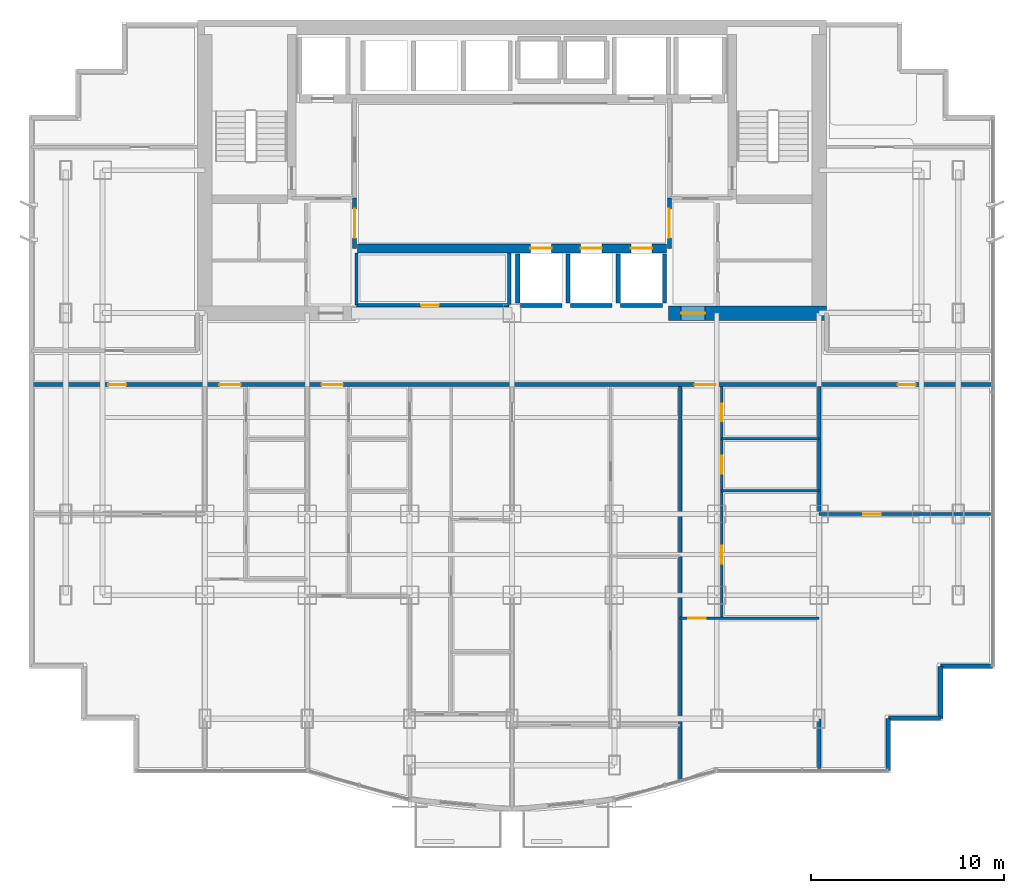
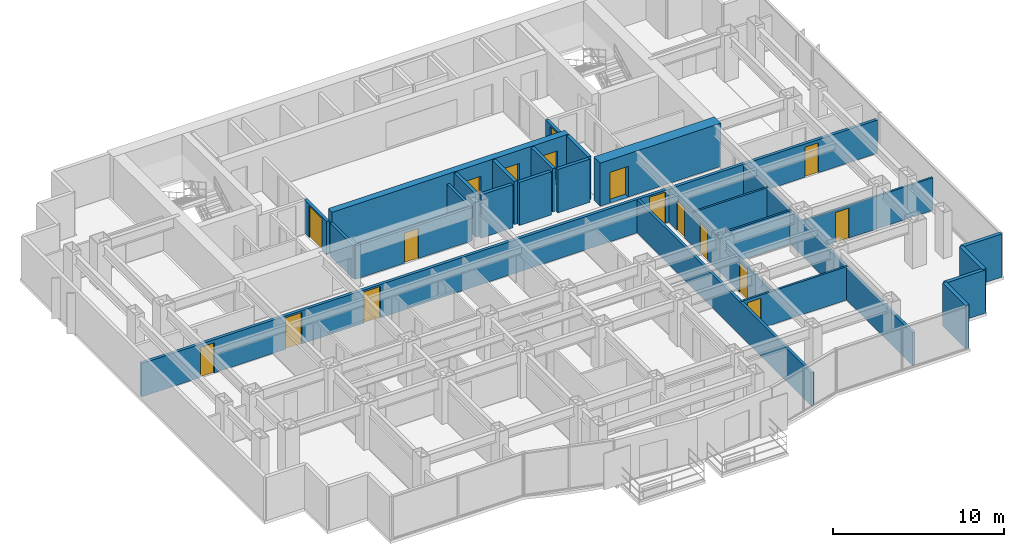
# One storey, part 8 of 12: 26 walls, 17 doors, 17 openings.
"""IFC4 building model written with IfcOpenShell, lengths in metres."""

from ifc_helpers import new_model, si_unit, direction, frame, frame_2d, origin, place, context, subcontext, project, spatial, rectangle, extrude, material, layer, layer_set, type_object, element, fill, save


model = new_model("IFC4")

# Units and contexts
model_context = context("Model", 3, precision=1e-05, world=origin(), true_north=direction((0.0, 1.0)))
body_context = subcontext(model_context, "Body", "Model", "MODEL_VIEW")
ifc_project = project(units=[si_unit("LENGTHUNIT", "METRE"), si_unit("AREAUNIT", "SQUARE_METRE"), si_unit("VOLUMEUNIT", "CUBIC_METRE"), si_unit("PLANEANGLEUNIT", "RADIAN"), si_unit("MASSUNIT", "GRAM", prefix="KILO")], contexts=[model_context])

# Site, building, storey
site_placement = place(None, origin())
site = spatial("IfcSite", under=ifc_project, at=site_placement, CompositionType="ELEMENT")
building_placement = place(site_placement, origin())
building = spatial("IfcBuilding", under=site, at=building_placement, Name="Qianlan Lanfeng Residences", CompositionType="ELEMENT")
storey_placement = place(building_placement, frame((0.0, 0.0, 121.300048828125)))
storey = spatial("IfcBuildingStorey", under=building, at=storey_placement, Name="L33", CompositionType="ELEMENT", Elevation=121.300048828125)

# Wall, openings, doors
ifc_material_1 = material(Name="Concrete C60", Category="concrete")
ifc_layer_1 = layer(ifc_material_1, 0.449951171875)
ifc_layer_set_1 = layer_set([ifc_layer_1], Name="Concrete C60")
wall_type_1 = type_object("IfcWallType", Name="CW-RC-450", PredefinedType="SHEAR", material=ifc_layer_set_1)
wall_1_placement = place(storey_placement, frame((18.5, 28.550048828125, 0.0), z_axis=(0.0, 0.0, 1.0), x_axis=(1.0, 0.0, 0.0)))
wall_1 = element("IfcWall", 1, at=wall_1_placement, inside=storey, type_object=wall_type_1, Name="L33 Core Shear Wall LBS", PredefinedType="SHEAR", context=body_context, shape_type="SweptSolid", body=[
    extrude(rectangle(XDim=16.0, YDim=0.449951171875, at=frame_2d((8.0, 0.0))), origin(), (0.0, 0.0, 1.0), 3.08984375),
])
opening_1_placement = place(wall_1_placement, frame((8.949951171875, 0.0, 0.0)))
opening_1 = element("IfcOpeningElement", 2, at=opening_1_placement, cuts=wall_1, Name="Opening L33-LD-PL-M1", PredefinedType="OPENING", context=body_context, shape_type="SweptSolid", body=[
    extrude(rectangle(XDim=1.10009765625, YDim=2.14990234375, at=frame_2d((0.550048828125, 1.074951171875))), frame((0.0, 0.23486328125, 0.0), z_axis=(0.0, -1.0, 0.0), x_axis=(1.0, 0.0, 0.0)), (0.0, 0.0, 1.0), 0.469970703125),
])
opening_2_placement = place(wall_1_placement, frame((11.550048828125, 0.0, 0.0)))
opening_2 = element("IfcOpeningElement", 3, at=opening_2_placement, cuts=wall_1, Name="Opening L33-LD-PL-M2", PredefinedType="OPENING", context=body_context, shape_type="SweptSolid", body=[
    extrude(rectangle(XDim=1.10009765625, YDim=2.14990234375, at=frame_2d((0.550048828125, 1.074951171875))), frame((0.0, 0.23486328125, 0.0), z_axis=(0.0, -1.0, 0.0), x_axis=(1.0, 0.0, 0.0)), (0.0, 0.0, 1.0), 0.469970703125),
])
opening_3_placement = place(wall_1_placement, frame((14.14990234375, 0.0, 0.0)))
opening_3 = element("IfcOpeningElement", 4, at=opening_3_placement, cuts=wall_1, Name="Opening L33-LD-PL-M3", PredefinedType="OPENING", context=body_context, shape_type="SweptSolid", body=[
    extrude(rectangle(XDim=1.10009765625, YDim=2.14990234375, at=frame_2d((0.550048828125, 1.074951171875))), frame((0.0, 0.23486328125, 0.0), z_axis=(0.0, -1.0, 0.0), x_axis=(1.0, 0.0, 0.0)), (0.0, 0.0, 1.0), 0.469970703125),
])
ifc_material_2 = material(Name="Brushed Stainless Steel Sliding Lift Door", Category="steel")
door_type_1 = type_object("IfcDoorType", Name="LD-01", OperationType="NOTDEFINED", PredefinedType="DOOR", material=ifc_material_2)
door_1_placement = place(opening_1_placement, origin())
door_1 = element("IfcDoor", 5, at=door_1_placement, inside=storey, type_object=door_type_1, Name="L33 Elevator PL-M1 Sliding Landing Door", OperationType="DOUBLE_DOOR_SLIDING", OverallHeight=2.14990234375, OverallWidth=1.10009765625, PredefinedType="DOOR", context=body_context, shape_type="SweptSolid", body=[
    extrude(rectangle(XDim=1.10009765625, YDim=2.14990234375, at=frame_2d((0.550048828125, 1.074951171875))), frame((0.0, 0.02490234375, 0.0), z_axis=(0.0, -1.0, 0.0), x_axis=(1.0, 0.0, 0.0)), (0.0, 0.0, 1.0), 0.050048828125),
])
fill(opening_1, door_1)
door_2_placement = place(opening_2_placement, origin())
door_2 = element("IfcDoor", 6, at=door_2_placement, inside=storey, type_object=door_type_1, Name="L33 Elevator PL-M2 Sliding Landing Door", OperationType="DOUBLE_DOOR_SLIDING", OverallHeight=2.14990234375, OverallWidth=1.10009765625, PredefinedType="DOOR", context=body_context, shape_type="SweptSolid", body=[
    extrude(rectangle(XDim=1.10009765625, YDim=2.14990234375, at=frame_2d((0.550048828125, 1.074951171875))), frame((0.0, 0.02490234375, 0.0), z_axis=(0.0, -1.0, 0.0), x_axis=(1.0, 0.0, 0.0)), (0.0, 0.0, 1.0), 0.050048828125),
])
fill(opening_2, door_2)
door_3_placement = place(opening_3_placement, origin())
door_3 = element("IfcDoor", 7, at=door_3_placement, inside=storey, type_object=door_type_1, Name="L33 Elevator PL-M3 Sliding Landing Door", OperationType="DOUBLE_DOOR_SLIDING", OverallHeight=2.14990234375, OverallWidth=1.10009765625, PredefinedType="DOOR", context=body_context, shape_type="SweptSolid", body=[
    extrude(rectangle(XDim=1.10009765625, YDim=2.14990234375, at=frame_2d((0.550048828125, 1.074951171875))), frame((0.0, 0.02490234375, 0.0), z_axis=(0.0, -1.0, 0.0), x_axis=(1.0, 0.0, 0.0)), (0.0, 0.0, 1.0), 0.050048828125),
])
fill(opening_3, door_3)

# Wall, opening, door
ifc_layer_2 = layer(ifc_material_1, 0.75)
ifc_layer_set_2 = layer_set([ifc_layer_2], Name="Concrete C60")
wall_type_2 = type_object("IfcWallType", Name="CW-RC-750", PredefinedType="SHEAR", material=ifc_layer_set_2)
wall_2_placement = place(storey_placement, frame((34.60009765625, 25.199951171875, 0.0), z_axis=(0.0, 0.0, 1.0), x_axis=(1.0, 0.0, 0.0)))
wall_2 = element("IfcWall", 8, at=wall_2_placement, inside=storey, type_object=wall_type_2, Name="L33 Core Shear Wall SE", PredefinedType="SHEAR", context=body_context, shape_type="SweptSolid", body=[
    extrude(rectangle(XDim=8.1748046875, YDim=0.75, at=frame_2d((4.08740234375, 0.0))), origin(), (0.0, 0.0, 1.0), 3.08984375),
])
opening_4_placement = place(wall_2_placement, frame((0.64990234375, 0.0, 0.0)))
opening_4 = element("IfcOpeningElement", 9, at=opening_4_placement, cuts=wall_2, Name="Opening L33-D02", PredefinedType="OPENING", context=body_context, shape_type="SweptSolid", body=[
    extrude(rectangle(XDim=1.25, YDim=2.199951171875, at=frame_2d((0.625, 1.10009765625))), frame((0.0, 0.385009765625, 0.0), z_axis=(0.0, -1.0, 0.0), x_axis=(1.0, 0.0, 0.0)), (0.0, 0.0, 1.0), 0.77001953125),
])
ifc_material_3 = material(Name="Painted Galvanised Steel Fire Door", Category="steel")
door_type_2 = type_object("IfcDoorType", Name="DT-FFL", OperationType="NOTDEFINED", PredefinedType="DOOR", material=ifc_material_3)
door_4_placement = place(opening_4_placement, frame((1.25, 0.0, 0.0), z_axis=(0.0, 0.0, 1.0), x_axis=(-1.0, 0.0, 0.0)))
door_4 = element("IfcDoor", 10, at=door_4_placement, inside=storey, type_object=door_type_2, Name="L33 East Core Lobby Smoke Door L33-D02 (DT-FFL)", OperationType="SINGLE_SWING_LEFT", OverallHeight=2.199951171875, OverallWidth=1.25, PredefinedType="DOOR", context=body_context, shape_type="SweptSolid", body=[
    extrude(rectangle(XDim=1.25, YDim=2.199951171875, at=frame_2d((0.625, 1.10009765625))), frame((0.0, 0.02490234375, 0.0), z_axis=(0.0, -1.0, 0.0), x_axis=(1.0, 0.0, 0.0)), (0.0, 0.0, 1.0), 0.050048828125),
])
fill(opening_4, door_4)

# Walls
ifc_material_4 = material(Name="Concrete C42", Category="concrete")
ifc_layer_3 = layer(ifc_material_4, 0.239990234375)
ifc_layer_set_3 = layer_set([ifc_layer_3], Name="Concrete C42")
wall_type_3 = type_object("IfcWallType", Name="EW-240", PredefinedType="SOLIDWALL", material=ifc_layer_set_3)
for number, where, z_axis, x_axis, name in (
    (11, (45.97998046875, 1.52001953125, 0.0), (0.0, 0.0, 1.0), (0.0, 1.0, 0.0), "L33 Exterior Facade Spandrel Wall 7"),
    (12, (45.97998046875, 4.219970703125, 0.0), (0.0, 0.0, 1.0), (1.0, 0.0, 0.0), "L33 Exterior Facade Spandrel Wall 8"),
    (13, (48.679931640625, 4.219970703125, 0.0), (0.0, 0.0, 1.0), (0.0, 1.0, 0.0), "L33 Exterior Facade Spandrel Wall 9"),
    (14, (48.679931640625, 6.919921875, 0.0), (0.0, 0.0, 1.0), (1.0, 0.0, 0.0), "L33 Exterior Facade Spandrel Wall 10"),
):
    element("IfcWall", number, at=place(storey_placement, frame(where, z_axis=z_axis, x_axis=x_axis)), inside=storey, type_object=wall_type_3, Name=name, PredefinedType="SOLIDWALL", context=body_context, shape_type="SweptSolid", body=[
        extrude(rectangle(XDim=2.699951171875, YDim=0.239990234375, at=frame_2d((1.35009765625, 0.0))), origin(), (0.0, 0.0, 1.0), 3.08984375),
    ])

# Wall, opening, door
ifc_material_5 = material(Name="Moisture-Resistant Gypsum Partition 135 mm")
ifc_layer_4 = layer(ifc_material_5, 0.135009765625)
ifc_layer_set_4 = layer_set([ifc_layer_4], Name="Moisture-Resistant Gypsum Partition 135 mm")
wall_type_4 = type_object("IfcWallType", Name="PW-135", PredefinedType="PARTITIONING", material=ifc_layer_set_4)
wall_3_placement = place(storey_placement, frame((35.199951171875, 9.39794921875, 0.0), z_axis=(0.0, 0.0, 1.0), x_axis=(1.0, 0.0, 0.0)))
wall_3 = element("IfcWall", 15, at=wall_3_placement, inside=storey, type_object=wall_type_4, Name="L33 U03 Living Divider", PredefinedType="PARTITIONING", context=body_context, shape_type="SweptSolid", body=[
    extrude(rectangle(XDim=7.199951171875, YDim=0.135009765625, at=frame_2d((3.60009765625, 0.0))), origin(), (0.0, 0.0, 1.0), 2.3798828125),
])
opening_5_placement = place(wall_3_placement, frame((0.4150390625, 0.0, 0.0)))
opening_5 = element("IfcOpeningElement", 16, at=opening_5_placement, cuts=wall_3, Name="Opening L33-D37", PredefinedType="OPENING", context=body_context, shape_type="SweptSolid", body=[
    extrude(rectangle(XDim=0.919921875, YDim=2.14990234375, at=frame_2d((0.4599609375, 1.074951171875))), frame((0.0, 0.07763671875, 0.0), z_axis=(0.0, -1.0, 0.0), x_axis=(1.0, 0.0, 0.0)), (0.0, 0.0, 1.0), 0.155029296875),
])
ifc_material_6 = material(Name="Glazed Timber Kitchen/Study Door", Category="wood")
door_type_3 = type_object("IfcDoorType", Name="DT-INT", OperationType="NOTDEFINED", PredefinedType="DOOR", material=ifc_material_6)
door_5_placement = place(opening_5_placement, frame((0.919921875, 0.0, 0.0), z_axis=(0.0, 0.0, 1.0), x_axis=(-1.0, 0.0, 0.0)))
door_5 = element("IfcDoor", 17, at=door_5_placement, inside=storey, type_object=door_type_3, Name="L33 U03 Living Passage Door L33-D37 (DT-INT)", OperationType="SINGLE_SWING_RIGHT", OverallHeight=2.14990234375, OverallWidth=0.919921875, PredefinedType="DOOR", context=body_context, shape_type="SweptSolid", body=[
    extrude(rectangle(XDim=0.919921875, YDim=2.14990234375, at=frame_2d((0.4599609375, 1.074951171875))), frame((0.0, 0.02490234375, 0.0), z_axis=(0.0, -1.0, 0.0), x_axis=(1.0, 0.0, 0.0)), (0.0, 0.0, 1.0), 0.050048828125),
])
fill(opening_5, door_5)

# Wall, openings, doors
wall_4_placement = place(storey_placement, frame((37.35009765625, 9.39794921875, 0.0), z_axis=(0.0, 0.0, 1.0), x_axis=(0.0, 1.0, 0.0)))
wall_4 = element("IfcWall", 18, at=wall_4_placement, inside=storey, type_object=wall_type_4, Name="L33 U03 Entry Hall Spine", PredefinedType="PARTITIONING", context=body_context, shape_type="SweptSolid", body=[
    extrude(rectangle(XDim=12.001953125, YDim=0.135009765625, at=frame_2d((6.0009765625, 0.0))), origin(), (0.0, 0.0, 1.0), 2.3349609375),
])
opening_6_placement = place(wall_4_placement, frame((2.841064453125, 0.0, 0.0)))
opening_6 = element("IfcOpeningElement", 19, at=opening_6_placement, cuts=wall_4, Name="Opening L33-D38", PredefinedType="OPENING", context=body_context, shape_type="SweptSolid", body=[
    extrude(rectangle(XDim=0.919921875, YDim=2.14990234375, at=frame_2d((0.4599609375, 1.074951171875))), frame((0.0, 0.07763671875, 0.0), z_axis=(0.0, -1.0, 0.0), x_axis=(1.0, 0.0, 0.0)), (0.0, 0.0, 1.0), 0.155029296875),
])
opening_7_placement = place(wall_4_placement, frame((7.491943359375, 0.0, 0.0)))
opening_7 = element("IfcOpeningElement", 20, at=opening_7_placement, cuts=wall_4, Name="Opening L33-D39", PredefinedType="OPENING", context=body_context, shape_type="SweptSolid", body=[
    extrude(rectangle(XDim=0.919921875, YDim=2.14990234375, at=frame_2d((0.4599609375, 1.074951171875))), frame((0.0, 0.07763671875, 0.0), z_axis=(0.0, -1.0, 0.0), x_axis=(1.0, 0.0, 0.0)), (0.0, 0.0, 1.0), 0.155029296875),
])
opening_8_placement = place(wall_4_placement, frame((10.201904296875, 0.0, 0.0)))
opening_8 = element("IfcOpeningElement", 21, at=opening_8_placement, cuts=wall_4, Name="Opening L33-D40", PredefinedType="OPENING", context=body_context, shape_type="SweptSolid", body=[
    extrude(rectangle(XDim=0.89990234375, YDim=2.14990234375, at=frame_2d((0.449951171875, 1.074951171875))), frame((0.0, 0.07763671875, 0.0), z_axis=(0.0, -1.0, 0.0), x_axis=(1.0, 0.0, 0.0)), (0.0, 0.0, 1.0), 0.155029296875),
])
door_6_placement = place(opening_6_placement, origin())
door_6 = element("IfcDoor", 22, at=door_6_placement, inside=storey, type_object=door_type_3, Name="L33 U03 Study Door L33-D38 (DT-INT)", OperationType="SINGLE_SWING_LEFT", OverallHeight=2.14990234375, OverallWidth=0.919921875, PredefinedType="DOOR", context=body_context, shape_type="SweptSolid", body=[
    extrude(rectangle(XDim=0.919921875, YDim=2.14990234375, at=frame_2d((0.4599609375, 1.074951171875))), frame((0.0, 0.02490234375, 0.0), z_axis=(0.0, -1.0, 0.0), x_axis=(1.0, 0.0, 0.0)), (0.0, 0.0, 1.0), 0.050048828125),
])
fill(opening_6, door_6)
door_7_placement = place(opening_7_placement, origin())
door_7 = element("IfcDoor", 23, at=door_7_placement, inside=storey, type_object=door_type_3, Name="L33 U03 Kitchen Door L33-D39 (DT-INT)", OperationType="SINGLE_SWING_RIGHT", OverallHeight=2.14990234375, OverallWidth=0.919921875, PredefinedType="DOOR", context=body_context, shape_type="SweptSolid", body=[
    extrude(rectangle(XDim=0.919921875, YDim=2.14990234375, at=frame_2d((0.4599609375, 1.074951171875))), frame((0.0, 0.02490234375, 0.0), z_axis=(0.0, -1.0, 0.0), x_axis=(1.0, 0.0, 0.0)), (0.0, 0.0, 1.0), 0.050048828125),
])
fill(opening_7, door_7)
ifc_material_7 = material(Name="Moisture-Resistant Timber Leaf", Category="wood")
door_type_4 = type_object("IfcDoorType", Name="DT-WC", OperationType="NOTDEFINED", PredefinedType="DOOR", material=ifc_material_7)
door_8_placement = place(opening_8_placement, origin())
door_8 = element("IfcDoor", 24, at=door_8_placement, inside=storey, type_object=door_type_4, Name="L33 U03 Bathroom Door L33-D40 (DT-WC)", OperationType="SINGLE_SWING_LEFT", OverallHeight=2.14990234375, OverallWidth=0.89990234375, PredefinedType="DOOR", context=body_context, shape_type="SweptSolid", body=[
    extrude(rectangle(XDim=0.89990234375, YDim=2.14990234375, at=frame_2d((0.449951171875, 1.074951171875))), frame((0.0, 0.02490234375, 0.0), z_axis=(0.0, -1.0, 0.0), x_axis=(1.0, 0.0, 0.0)), (0.0, 0.0, 1.0), 0.050048828125),
])
fill(opening_8, door_8)

# Walls
for number, where, z_axis, x_axis, name in (
    (25, (37.35009765625, 16.0, 0.0), (0.0, 0.0, 1.0), (1.0, 0.0, 0.0), "L33 U03 Kitchen South Wall"),
    (26, (37.35009765625, 18.699951171875, 0.0), (0.0, 0.0, 1.0), (1.0, 0.0, 0.0), "L33 U03 Bathroom South Wall"),
):
    element("IfcWall", number, at=place(storey_placement, frame(where, z_axis=z_axis, x_axis=x_axis)), inside=storey, type_object=wall_type_4, Name=name, PredefinedType="PARTITIONING", context=body_context, shape_type="SweptSolid", body=[
        extrude(rectangle(XDim=5.0498046875, YDim=0.135009765625, at=frame_2d((2.52490234375, 0.0))), origin(), (0.0, 0.0, 1.0), 2.3798828125),
    ])

# Wall, opening, door
wall_5_placement = place(storey_placement, frame((42.39990234375, 14.800048828125, 0.0), z_axis=(0.0, 0.0, 1.0), x_axis=(1.0, 0.0, 0.0)))
wall_5 = element("IfcWall", 27, at=wall_5_placement, inside=storey, type_object=wall_type_4, Name="L33 SEP Mid Partition", PredefinedType="PARTITIONING", context=body_context, shape_type="SweptSolid", body=[
    extrude(rectangle(XDim=8.880126953125, YDim=0.135009765625, at=frame_2d((4.43994140625, 0.0))), origin(), (0.0, 0.0, 1.0), 2.3349609375),
])
opening_9_placement = place(wall_5_placement, frame((2.280029296875, 0.0, 0.0)))
opening_9 = element("IfcOpeningElement", 28, at=opening_9_placement, cuts=wall_5, Name="Opening L33-D43", PredefinedType="OPENING", context=body_context, shape_type="SweptSolid", body=[
    extrude(rectangle(XDim=0.919921875, YDim=2.14990234375, at=frame_2d((0.4599609375, 1.074951171875))), frame((0.0, 0.07763671875, 0.0), z_axis=(0.0, -1.0, 0.0), x_axis=(1.0, 0.0, 0.0)), (0.0, 0.0, 1.0), 0.155029296875),
])
door_9_placement = place(opening_9_placement, origin())
door_9 = element("IfcDoor", 29, at=door_9_placement, inside=storey, type_object=door_type_3, Name="L33 SEP Inner Door L33-D43 (DT-INT)", OperationType="SINGLE_SWING_RIGHT", OverallHeight=2.14990234375, OverallWidth=0.919921875, PredefinedType="DOOR", context=body_context, shape_type="SweptSolid", body=[
    extrude(rectangle(XDim=0.919921875, YDim=2.14990234375, at=frame_2d((0.4599609375, 1.074951171875))), frame((0.0, 0.02490234375, 0.0), z_axis=(0.0, -1.0, 0.0), x_axis=(1.0, 0.0, 0.0)), (0.0, 0.0, 1.0), 0.050048828125),
])
fill(opening_9, door_9)

# Walls
ifc_material_8 = material(Name="Double-Layer Acoustic Gypsum Stud Wall 180 mm")
ifc_layer_5 = layer(ifc_material_8, 0.179931640625)
ifc_layer_set_5 = layer_set([ifc_layer_5], Name="Double-Layer Acoustic Gypsum Stud Wall 180 mm")
wall_type_5 = type_object("IfcWallType", Name="PW-180", PredefinedType="PARTITIONING", material=ifc_layer_set_5)
for number, where, z_axis, x_axis, name in (
    (30, (18.449951171875, 25.6201171875, 0.0), (0.0, 0.0, 1.0), (0.0, 1.0, 0.0), "L33 Reclaimed Low-Bank Room West Wall"),
    (31, (26.35009765625, 25.6201171875, 0.0), (0.0, 0.0, 1.0), (0.0, 1.0, 0.0), "L33 Reclaimed Low-Bank Room East Wall"),
):
    element("IfcWall", number, at=place(storey_placement, frame(where, z_axis=z_axis, x_axis=x_axis)), inside=storey, type_object=wall_type_5, Name=name, PredefinedType="PARTITIONING", context=body_context, shape_type="SweptSolid", body=[
        extrude(rectangle(XDim=2.704833984375, YDim=0.179931640625, at=frame_2d((1.3525390625, 0.0))), origin(), (0.0, 0.0, 1.0), 2.3798828125),
    ])

# Wall, opening, door
wall_6_placement = place(storey_placement, frame((18.449951171875, 25.6201171875, 0.0), z_axis=(0.0, 0.0, 1.0), x_axis=(1.0, 0.0, 0.0)))
wall_6 = element("IfcWall", 32, at=wall_6_placement, inside=storey, type_object=wall_type_5, Name="L33 Reclaimed Low-Bank Room South Wall", PredefinedType="PARTITIONING", context=body_context, shape_type="SweptSolid", body=[
    extrude(rectangle(XDim=7.900146484375, YDim=0.179931640625, at=frame_2d((3.9501953125, 0.0))), origin(), (0.0, 0.0, 1.0), 2.3798828125),
])
opening_10_placement = place(wall_6_placement, frame((3.340087890625, 0.0, 0.0)))
opening_10 = element("IfcOpeningElement", 33, at=opening_10_placement, cuts=wall_6, Name="Opening L33-D16", PredefinedType="OPENING", context=body_context, shape_type="SweptSolid", body=[
    extrude(rectangle(XDim=0.919921875, YDim=2.14990234375, at=frame_2d((0.4599609375, 1.074951171875))), frame((0.0, 0.10009765625, 0.0), z_axis=(0.0, -1.0, 0.0), x_axis=(1.0, 0.0, 0.0)), (0.0, 0.0, 1.0), 0.199951171875),
])
door_10_placement = place(opening_10_placement, origin())
door_10 = element("IfcDoor", 34, at=door_10_placement, inside=storey, type_object=door_type_3, Name="L33 Reclaimed Core Salon Door L33-D16 (DT-INT)", OperationType="SINGLE_SWING_LEFT", OverallHeight=2.14990234375, OverallWidth=0.919921875, PredefinedType="DOOR", context=body_context, shape_type="SweptSolid", body=[
    extrude(rectangle(XDim=0.919921875, YDim=2.14990234375, at=frame_2d((0.4599609375, 1.074951171875))), frame((0.0, 0.02490234375, 0.0), z_axis=(0.0, -1.0, 0.0), x_axis=(1.0, 0.0, 0.0)), (0.0, 0.0, 1.0), 0.050048828125),
])
fill(opening_10, door_10)

# Walls
wall_7_placement = place(storey_placement, frame((42.39990234375, 1.6201171875, 0.0), z_axis=(0.0, 0.0, 1.0), x_axis=(0.0, 1.0, 0.0)))
element("IfcWall", 35, at=wall_7_placement, inside=storey, type_object=wall_type_5, Name="L33 Wing Boundary Party Wall E0", PredefinedType="PARTITIONING", context=body_context, shape_type="SweptSolid", body=[
    extrude(rectangle(XDim=19.77978515625, YDim=0.179931640625, at=frame_2d((9.889892578125, 0.0))), origin(), (0.0, 0.0, 1.0), 2.3349609375),
])
wall_8_placement = place(storey_placement, frame((35.199951171875, 0.989990234375, 0.0), z_axis=(0.0, 0.0, 1.0), x_axis=(0.0, 1.0, 0.0)))
element("IfcWall", 36, at=wall_8_placement, inside=storey, type_object=wall_type_5, Name="L33 Inter-Tenancy Party Wall 3", PredefinedType="PARTITIONING", context=body_context, shape_type="SweptSolid", body=[
    extrude(rectangle(XDim=20.409912109375, YDim=0.179931640625, at=frame_2d((10.205078125, 0.0))), origin(), (0.0, 0.0, 1.0), 2.3798828125),
])

# Wall, opening, door
ifc_material_9 = material(Name="Autoclaved Aerated Concrete Blockwork 200 mm", Category="masonry")
ifc_layer_6 = layer(ifc_material_9, 0.199951171875)
ifc_layer_set_6 = layer_set([ifc_layer_6], Name="Autoclaved Aerated Concrete Blockwork 200 mm")
wall_type_6 = type_object("IfcWallType", Name="PW-200", PredefinedType="PARTITIONING", material=ifc_layer_set_6)
wall_9_placement = place(storey_placement, frame((18.35009765625, 28.550048828125, 0.0), z_axis=(0.0, 0.0, 1.0), x_axis=(0.0, 1.0, 0.0)))
wall_9 = element("IfcWall", 37, at=wall_9_placement, inside=storey, type_object=wall_type_6, Name="L33 Lift Lobby West Connector Wall", PredefinedType="PARTITIONING", context=body_context, shape_type="SweptSolid", body=[
    extrude(rectangle(XDim=2.599853515625, YDim=0.199951171875, at=frame_2d((1.2998046875, 0.0))), origin(), (0.0, 0.0, 1.0), 2.3798828125),
])
opening_11_placement = place(wall_9_placement, frame((0.550048828125, 0.0, 0.0)))
opening_11 = element("IfcOpeningElement", 38, at=opening_11_placement, cuts=wall_9, Name="Opening L33-D14", PredefinedType="OPENING", context=body_context, shape_type="SweptSolid", body=[
    extrude(rectangle(XDim=1.5, YDim=2.25, at=frame_2d((0.75, 1.125))), frame((0.0, 0.10986328125, 0.0), z_axis=(0.0, -1.0, 0.0), x_axis=(1.0, 0.0, 0.0)), (0.0, 0.0, 1.0), 0.219970703125),
])
ifc_material_10 = material(Name="Timber Veneer Acoustic Fire Door", Category="wood")
door_type_5 = type_object("IfcDoorType", Name="DT-COR1", OperationType="NOTDEFINED", PredefinedType="DOOR", material=ifc_material_10)
door_11_placement = place(opening_11_placement, origin())
door_11 = element("IfcDoor", 39, at=door_11_placement, inside=storey, type_object=door_type_5, Name="L33 Lift Lobby West Portal Door L33-D14 (DT-COR1)", OperationType="DOUBLE_DOOR_SINGLE_SWING", OverallHeight=2.25, OverallWidth=1.5, PredefinedType="DOOR", context=body_context, shape_type="SweptSolid", body=[
    extrude(rectangle(XDim=1.5, YDim=2.25, at=frame_2d((0.75, 1.125))), frame((0.0, 0.02490234375, 0.0), z_axis=(0.0, -1.0, 0.0), x_axis=(1.0, 0.0, 0.0)), (0.0, 0.0, 1.0), 0.050048828125),
])
fill(opening_11, door_11)

wall_10_placement = place(storey_placement, frame((34.64990234375, 28.550048828125, 0.0), z_axis=(0.0, 0.0, 1.0), x_axis=(0.0, 1.0, 0.0)))
wall_10 = element("IfcWall", 40, at=wall_10_placement, inside=storey, type_object=wall_type_6, Name="L33 Lift Lobby East Connector Wall", PredefinedType="PARTITIONING", context=body_context, shape_type="SweptSolid", body=[
    extrude(rectangle(XDim=2.599853515625, YDim=0.199951171875, at=frame_2d((1.2998046875, 0.0))), origin(), (0.0, 0.0, 1.0), 2.3798828125),
])
opening_12_placement = place(wall_10_placement, frame((0.550048828125, 0.0, 0.0)))
opening_12 = element("IfcOpeningElement", 41, at=opening_12_placement, cuts=wall_10, Name="Opening L33-D15", PredefinedType="OPENING", context=body_context, shape_type="SweptSolid", body=[
    extrude(rectangle(XDim=1.5, YDim=2.25, at=frame_2d((0.75, 1.125))), frame((0.0, 0.10986328125, 0.0), z_axis=(0.0, -1.0, 0.0), x_axis=(1.0, 0.0, 0.0)), (0.0, 0.0, 1.0), 0.219970703125),
])
door_12_placement = place(opening_12_placement, frame((1.5, 0.0, 0.0), z_axis=(0.0, 0.0, 1.0), x_axis=(-1.0, 0.0, 0.0)))
door_12 = element("IfcDoor", 42, at=door_12_placement, inside=storey, type_object=door_type_5, Name="L33 Lift Lobby East Portal Door L33-D15 (DT-COR1)", OperationType="DOUBLE_DOOR_SINGLE_SWING", OverallHeight=2.25, OverallWidth=1.5, PredefinedType="DOOR", context=body_context, shape_type="SweptSolid", body=[
    extrude(rectangle(XDim=1.5, YDim=2.25, at=frame_2d((0.75, 1.125))), frame((0.0, 0.02490234375, 0.0), z_axis=(0.0, -1.0, 0.0), x_axis=(1.0, 0.0, 0.0)), (0.0, 0.0, 1.0), 0.050048828125),
])
fill(opening_12, door_12)

# Wall, openings, doors
wall_11_placement = place(storey_placement, frame((1.6201171875, 21.5, 0.0), z_axis=(0.0, 0.0, 1.0), x_axis=(1.0, 0.0, 0.0)))
wall_11 = element("IfcWall", 43, at=wall_11_placement, inside=storey, type_object=wall_type_6, Name="L33 Residential Corridor South Fire Wall", PredefinedType="PARTITIONING", context=body_context, shape_type="SweptSolid", body=[
    extrude(rectangle(XDim=49.759765625, YDim=0.199951171875, at=frame_2d((24.8798828125, 0.0))), origin(), (0.0, 0.0, 1.0), 2.3798828125),
])
opening_13_placement = place(wall_11_placement, frame((9.72998046875, 0.0, 0.0)))
opening_13 = element("IfcOpeningElement", 44, at=opening_13_placement, cuts=wall_11, Name="Opening L33-D17", PredefinedType="OPENING", context=body_context, shape_type="SweptSolid", body=[
    extrude(rectangle(XDim=1.10009765625, YDim=2.25, at=frame_2d((0.550048828125, 1.125))), frame((0.0, 0.10986328125, 0.0), z_axis=(0.0, -1.0, 0.0), x_axis=(1.0, 0.0, 0.0)), (0.0, 0.0, 1.0), 0.219970703125),
])
opening_14_placement = place(wall_11_placement, frame((15.030029296875, 0.0, 0.0)))
opening_14 = element("IfcOpeningElement", 45, at=opening_14_placement, cuts=wall_11, Name="Opening L33-D22", PredefinedType="OPENING", context=body_context, shape_type="SweptSolid", body=[
    extrude(rectangle(XDim=1.10009765625, YDim=2.25, at=frame_2d((0.550048828125, 1.125))), frame((0.0, 0.10986328125, 0.0), z_axis=(0.0, -1.0, 0.0), x_axis=(1.0, 0.0, 0.0)), (0.0, 0.0, 1.0), 0.219970703125),
])
opening_15_placement = place(wall_11_placement, frame((34.330078125, 0.0, 0.0)))
opening_15 = element("IfcOpeningElement", 46, at=opening_15_placement, cuts=wall_11, Name="Opening L33-D36", PredefinedType="OPENING", context=body_context, shape_type="SweptSolid", body=[
    extrude(rectangle(XDim=1.10009765625, YDim=2.25, at=frame_2d((0.550048828125, 1.125))), frame((0.0, 0.10986328125, 0.0), z_axis=(0.0, -1.0, 0.0), x_axis=(1.0, 0.0, 0.0)), (0.0, 0.0, 1.0), 0.219970703125),
])
opening_16_placement = place(wall_11_placement, frame((3.985107421875, 0.0, 0.0)))
opening_16 = element("IfcOpeningElement", 47, at=opening_16_placement, cuts=wall_11, Name="Opening L33-D42", PredefinedType="OPENING", context=body_context, shape_type="SweptSolid", body=[
    extrude(rectangle(XDim=0.919921875, YDim=2.14990234375, at=frame_2d((0.4599609375, 1.074951171875))), frame((0.0, 0.10986328125, 0.0), z_axis=(0.0, -1.0, 0.0), x_axis=(1.0, 0.0, 0.0)), (0.0, 0.0, 1.0), 0.219970703125),
])
opening_17_placement = place(wall_11_placement, frame((44.85498046875, 0.0, 0.0)))
opening_17 = element("IfcOpeningElement", 48, at=opening_17_placement, cuts=wall_11, Name="Opening L33-D44", PredefinedType="OPENING", context=body_context, shape_type="SweptSolid", body=[
    extrude(rectangle(XDim=0.919921875, YDim=2.14990234375, at=frame_2d((0.4599609375, 1.074951171875))), frame((0.0, 0.10986328125, 0.0), z_axis=(0.0, -1.0, 0.0), x_axis=(1.0, 0.0, 0.0)), (0.0, 0.0, 1.0), 0.219970703125),
])
door_13_placement = place(opening_16_placement, origin())
door_13 = element("IfcDoor", 49, at=door_13_placement, inside=storey, type_object=door_type_3, Name="L33 SWP Corridor Door L33-D42 (DT-INT)", OperationType="SINGLE_SWING_LEFT", OverallHeight=2.14990234375, OverallWidth=0.919921875, PredefinedType="DOOR", context=body_context, shape_type="SweptSolid", body=[
    extrude(rectangle(XDim=0.919921875, YDim=2.14990234375, at=frame_2d((0.4599609375, 1.074951171875))), frame((0.0, 0.02490234375, 0.0), z_axis=(0.0, -1.0, 0.0), x_axis=(1.0, 0.0, 0.0)), (0.0, 0.0, 1.0), 0.050048828125),
])
fill(opening_16, door_13)
door_14_placement = place(opening_17_placement, origin())
door_14 = element("IfcDoor", 50, at=door_14_placement, inside=storey, type_object=door_type_3, Name="L33 SEP Corridor Door L33-D44 (DT-INT)", OperationType="SINGLE_SWING_LEFT", OverallHeight=2.14990234375, OverallWidth=0.919921875, PredefinedType="DOOR", context=body_context, shape_type="SweptSolid", body=[
    extrude(rectangle(XDim=0.919921875, YDim=2.14990234375, at=frame_2d((0.4599609375, 1.074951171875))), frame((0.0, 0.02490234375, 0.0), z_axis=(0.0, -1.0, 0.0), x_axis=(1.0, 0.0, 0.0)), (0.0, 0.0, 1.0), 0.050048828125),
])
fill(opening_17, door_14)
ifc_material_11 = material(Name="Solid-Core Oak Veneer Fire Door")
door_type_6 = type_object("IfcDoorType", Name="DT-UNIT", OperationType="NOTDEFINED", PredefinedType="DOOR", material=ifc_material_11)
door_15_placement = place(opening_13_placement, origin())
door_15 = element("IfcDoor", 51, at=door_15_placement, inside=storey, type_object=door_type_6, Name="L33 Apartment U01 Entrance Door L33-D17 (DT-UNIT)", OperationType="SINGLE_SWING_RIGHT", OverallHeight=2.25, OverallWidth=1.10009765625, PredefinedType="DOOR", context=body_context, shape_type="SweptSolid", body=[
    extrude(rectangle(XDim=1.10009765625, YDim=2.25, at=frame_2d((0.550048828125, 1.125))), frame((0.0, 0.02490234375, 0.0), z_axis=(0.0, -1.0, 0.0), x_axis=(1.0, 0.0, 0.0)), (0.0, 0.0, 1.0), 0.050048828125),
])
fill(opening_13, door_15)
door_16_placement = place(opening_14_placement, origin())
door_16 = element("IfcDoor", 52, at=door_16_placement, inside=storey, type_object=door_type_6, Name="L33 Apartment U02 Entrance Door L33-D22 (DT-UNIT)", OperationType="SINGLE_SWING_RIGHT", OverallHeight=2.25, OverallWidth=1.10009765625, PredefinedType="DOOR", context=body_context, shape_type="SweptSolid", body=[
    extrude(rectangle(XDim=1.10009765625, YDim=2.25, at=frame_2d((0.550048828125, 1.125))), frame((0.0, 0.02490234375, 0.0), z_axis=(0.0, -1.0, 0.0), x_axis=(1.0, 0.0, 0.0)), (0.0, 0.0, 1.0), 0.050048828125),
])
fill(opening_14, door_16)
door_17_placement = place(opening_15_placement, origin())
door_17 = element("IfcDoor", 53, at=door_17_placement, inside=storey, type_object=door_type_6, Name="L33 Apartment U03 Entrance Door L33-D36 (DT-UNIT)", OperationType="SINGLE_SWING_RIGHT", OverallHeight=2.25, OverallWidth=1.10009765625, PredefinedType="DOOR", context=body_context, shape_type="SweptSolid", body=[
    extrude(rectangle(XDim=1.10009765625, YDim=2.25, at=frame_2d((0.550048828125, 1.125))), frame((0.0, 0.02490234375, 0.0), z_axis=(0.0, -1.0, 0.0), x_axis=(1.0, 0.0, 0.0)), (0.0, 0.0, 1.0), 0.050048828125),
])
fill(opening_15, door_17)

# Walls
ifc_material_12 = material(Name="Concrete C49", Category="concrete")
ifc_layer_7 = layer(ifc_material_12, 0.219970703125)
ifc_layer_set_7 = layer_set([ifc_layer_7], Name="Concrete C49")
wall_type_7 = type_object("IfcWallType", Name="SHW-220", PredefinedType="SOLIDWALL", material=ifc_layer_set_7)
wall_12_placement = place(storey_placement, frame((26.800048828125, 25.719970703125, 0.0), z_axis=(0.0, 0.0, 1.0), x_axis=(0.0, 1.0, 0.0)))
element("IfcWall", 54, at=wall_12_placement, inside=storey, type_object=wall_type_7, Name="L33 Lift PL-M1 Shaft Wall W", PredefinedType="SOLIDWALL", context=body_context, shape_type="SweptSolid", body=[
    extrude(rectangle(XDim=2.530029296875, YDim=0.219970703125, at=frame_2d((1.26513671875, 0.0))), origin(), (0.0, 0.0, 1.0), 3.08984375),
])
wall_13_placement = place(storey_placement, frame((26.919921875, 25.60009765625, 0.0), z_axis=(0.0, 0.0, 1.0), x_axis=(1.0, 0.0, 0.0)))
element("IfcWall", 55, at=wall_13_placement, inside=storey, type_object=wall_type_7, Name="L33 Lift PL-M1 Shaft Back Wall S", PredefinedType="SOLIDWALL", context=body_context, shape_type="SweptSolid", body=[
    extrude(rectangle(XDim=2.16015625, YDim=0.219970703125, at=frame_2d((1.080078125, 0.0))), origin(), (0.0, 0.0, 1.0), 3.08984375),
])
wall_14_placement = place(storey_placement, frame((29.39990234375, 25.719970703125, 0.0), z_axis=(0.0, 0.0, 1.0), x_axis=(0.0, 1.0, 0.0)))
element("IfcWall", 56, at=wall_14_placement, inside=storey, type_object=wall_type_7, Name="L33 Lift PL-M2 Shaft Wall W", PredefinedType="SOLIDWALL", context=body_context, shape_type="SweptSolid", body=[
    extrude(rectangle(XDim=2.530029296875, YDim=0.219970703125, at=frame_2d((1.26513671875, 0.0))), origin(), (0.0, 0.0, 1.0), 3.08984375),
])
wall_15_placement = place(storey_placement, frame((29.52001953125, 25.60009765625, 0.0), z_axis=(0.0, 0.0, 1.0), x_axis=(1.0, 0.0, 0.0)))
element("IfcWall", 57, at=wall_15_placement, inside=storey, type_object=wall_type_7, Name="L33 Lift PL-M2 Shaft Back Wall S", PredefinedType="SOLIDWALL", context=body_context, shape_type="SweptSolid", body=[
    extrude(rectangle(XDim=2.159912109375, YDim=0.219970703125, at=frame_2d((1.080078125, 0.0))), origin(), (0.0, 0.0, 1.0), 3.08984375),
])
for number, where, z_axis, x_axis, name in (
    (58, (32.0, 25.719970703125, 0.0), (0.0, 0.0, 1.0), (0.0, 1.0, 0.0), "L33 Lift PL-M3 Shaft Wall W"),
    (59, (34.39990234375, 25.719970703125, 0.0), (0.0, 0.0, 1.0), (0.0, 1.0, 0.0), "L33 Lift PL-M3 Shaft Wall E"),
):
    element("IfcWall", number, at=place(storey_placement, frame(where, z_axis=z_axis, x_axis=x_axis)), inside=storey, type_object=wall_type_7, Name=name, PredefinedType="SOLIDWALL", context=body_context, shape_type="SweptSolid", body=[
        extrude(rectangle(XDim=2.530029296875, YDim=0.219970703125, at=frame_2d((1.26513671875, 0.0))), origin(), (0.0, 0.0, 1.0), 3.08984375),
    ])
wall_16_placement = place(storey_placement, frame((32.1201171875, 25.60009765625, 0.0), z_axis=(0.0, 0.0, 1.0), x_axis=(1.0, 0.0, 0.0)))
element("IfcWall", 60, at=wall_16_placement, inside=storey, type_object=wall_type_7, Name="L33 Lift PL-M3 Shaft Back Wall S", PredefinedType="SOLIDWALL", context=body_context, shape_type="SweptSolid", body=[
    extrude(rectangle(XDim=2.159912109375, YDim=0.219970703125, at=frame_2d((1.080078125, 0.0))), origin(), (0.0, 0.0, 1.0), 3.08984375),
])

save(model, "model.ifc")
